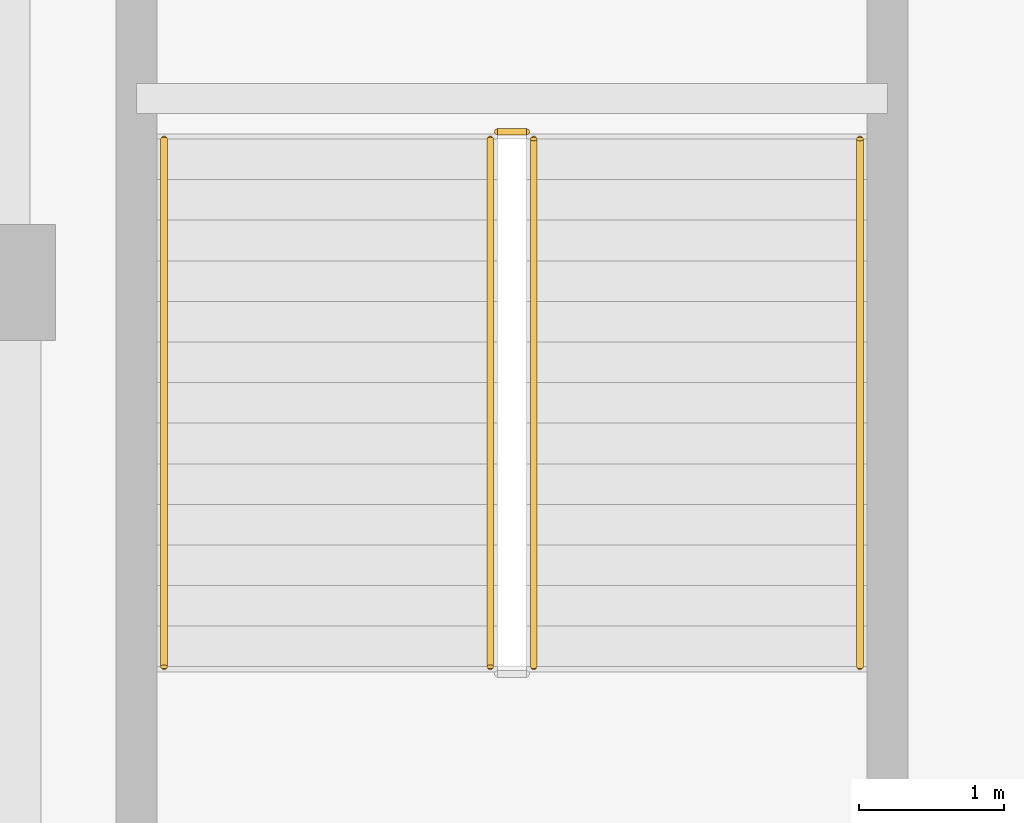
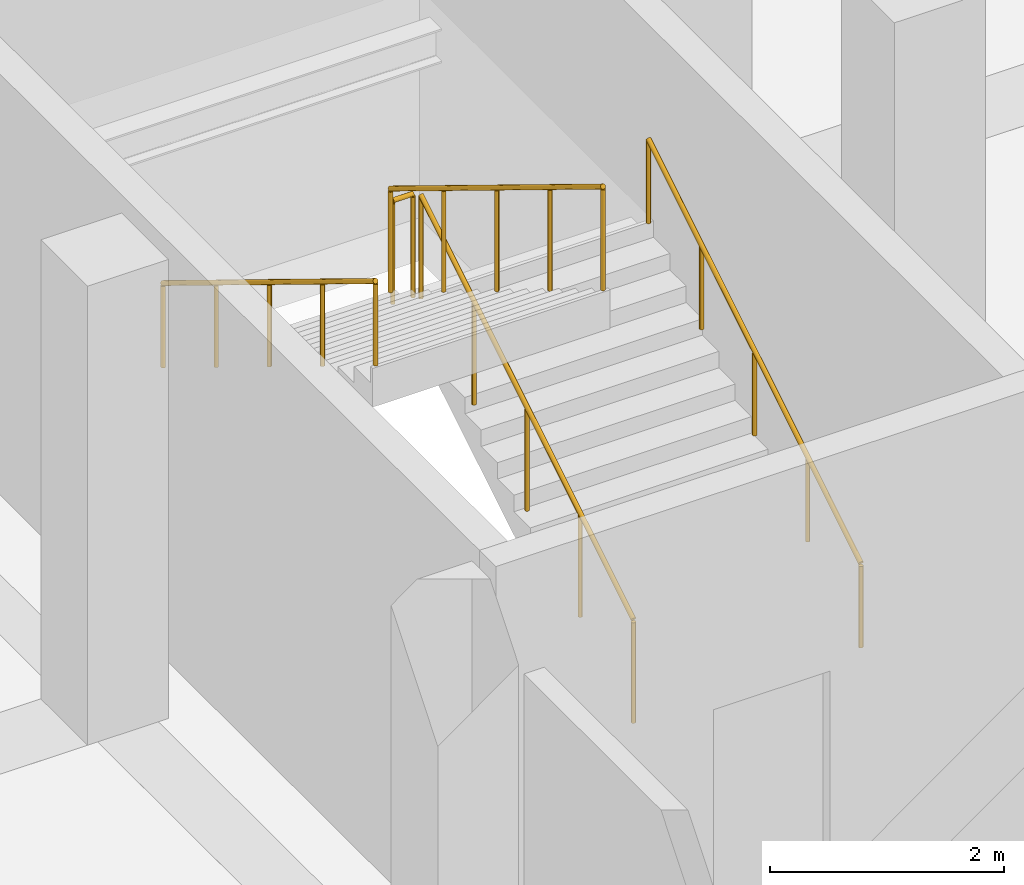
# One storey, part 34 of 36: 5 railings.
"""IFC4 building model written with IfcOpenShell, lengths in metres."""

from ifc_helpers import new_model, si_unit, direction, frame, origin, origin_2d, place, context, subcontext, project, spatial, circle, extrude, material, type_object, element, save


model = new_model("IFC4")

# Units and contexts
model_context = context("Model", 3, precision=1e-05, world=origin(), true_north=direction((0.0, 1.0)))
body_context = subcontext(model_context, "Body", "Model", "MODEL_VIEW")
ifc_project = project(units=[si_unit("LENGTHUNIT", "METRE"), si_unit("AREAUNIT", "SQUARE_METRE"), si_unit("VOLUMEUNIT", "CUBIC_METRE"), si_unit("PLANEANGLEUNIT", "RADIAN"), si_unit("MASSUNIT", "GRAM", prefix="KILO")], contexts=[model_context])

# Site, building, storey
site_placement = place(None, origin())
site = spatial("IfcSite", under=ifc_project, at=site_placement, CompositionType="ELEMENT")
building_placement = place(site_placement, origin())
building = spatial("IfcBuilding", under=site, at=building_placement, Name="Verrall Gate Interchange", CompositionType="ELEMENT")
storey_placement = place(building_placement, frame((0.0, 0.0, -4.800048828125)))
storey = spatial("IfcBuildingStorey", under=building, at=storey_placement, Name="B1", CompositionType="ELEMENT", Elevation=-4.800048828125)

# Railings
ifc_material_1 = material(Name="Brushed Stainless-Steel Guardrail and Handrail System", Category="steel")
railing_type_1 = type_object("IfcRailingType", Name="GR-02 Interior Atrium and Stair Guardrail 1100", PredefinedType="GUARDRAIL", material=ifc_material_1)
railing_1_placement = place(storey_placement, frame((103.699951171875, 37.35009765625, 0.17138671875)))
element("IfcRailing", 1, at=railing_1_placement, inside=storey, type_object=railing_type_1, Name="B1 ST-07 stair guard 1", PredefinedType="GUARDRAIL", context=body_context, shape_type="SweptSolid", body=[
    extrude(circle(Radius=0.02392578125, at=origin_2d()), frame((0.0, 0.0, 1.076171875), z_axis=(0.0, 0.852824790078, 0.522197163366), x_axis=(-1.0, 0.0, 0.0)), (0.0, 0.0, 1.0), 4.26806640625),
    extrude(circle(Radius=0.02099609375, at=origin_2d()), origin(), (0.0, 0.0, 1.0), 1.052001953125),
    extrude(circle(Radius=0.02099609375, at=origin_2d()), frame((0.0, 0.909912109375, 0.55712890625)), (0.0, 0.0, 1.0), 1.052001953125),
    extrude(circle(Radius=0.02099609375, at=origin_2d()), frame((0.0, 1.81982421875, 1.1142578125)), (0.0, 0.0, 1.0), 1.052001953125),
    extrude(circle(Radius=0.02099609375, at=origin_2d()), frame((0.0, 2.72998046875, 1.671630859375)), (0.0, 0.0, 1.0), 1.052001953125),
    extrude(circle(Radius=0.02099609375, at=origin_2d()), frame((0.0, 3.639892578125, 2.228759765625)), (0.0, 0.0, 1.0), 1.052001953125),
])
railing_2_placement = place(storey_placement, frame((103.64990234375, 41.0400390625, 2.400146484375)))
element("IfcRailing", 2, at=railing_2_placement, inside=storey, type_object=railing_type_1, Name="B1 ST-07 stair guard 2", PredefinedType="GUARDRAIL", context=body_context, shape_type="SweptSolid", body=[
    extrude(circle(Radius=0.02392578125, at=origin_2d()), frame((0.0, 0.0, 1.076171875), z_axis=(-1.0, 0.0, 0.0), x_axis=(0.0, -1.0, 0.0)), (0.0, 0.0, 1.0), 0.199951171875),
    extrude(circle(Radius=0.02099609375, at=origin_2d()), origin(), (0.0, 0.0, 1.0), 1.052001953125),
    extrude(circle(Radius=0.02099609375, at=origin_2d()), frame((-0.199951171875, 0.0, 0.0)), (0.0, 0.0, 1.0), 1.052001953125),
])
railing_3_placement = place(storey_placement, frame((103.39990234375, 40.989990234375, 2.571533203125)))
element("IfcRailing", 3, at=railing_3_placement, inside=storey, type_object=railing_type_1, Name="B1 ST-07 stair guard 3", PredefinedType="GUARDRAIL", context=body_context, shape_type="SweptSolid", body=[
    extrude(circle(Radius=0.02392578125, at=origin_2d()), frame((0.0, 0.0, 1.076171875), z_axis=(0.0, -0.852850264322, 0.5221555579), x_axis=(1.0, 0.0, 0.0)), (0.0, 0.0, 1.0), 4.267822265625),
    extrude(circle(Radius=0.02099609375, at=origin_2d()), origin(), (0.0, 0.0, 1.0), 1.052001953125),
    extrude(circle(Radius=0.02099609375, at=origin_2d()), frame((0.0, -0.909912109375, 0.55712890625)), (0.0, 0.0, 1.0), 1.052001953125),
    extrude(circle(Radius=0.02099609375, at=origin_2d()), frame((0.0, -1.81982421875, 1.1142578125)), (0.0, 0.0, 1.0), 1.052001953125),
    extrude(circle(Radius=0.02099609375, at=origin_2d()), frame((0.0, -2.72998046875, 1.67138671875)), (0.0, 0.0, 1.0), 1.052001953125),
    extrude(circle(Radius=0.02099609375, at=origin_2d()), frame((0.0, -3.639892578125, 2.228515625)), (0.0, 0.0, 1.0), 1.052001953125),
])
ifc_material_2 = material(Name="Brushed Stainless-Steel Guardrail and Handrail System", Category="steel")
railing_type_2 = type_object("IfcRailingType", Name="HR-01 Stair and Ramp Pitch-Line Handrail 920", PredefinedType="HANDRAIL", material=ifc_material_2)
railing_4_placement = place(storey_placement, frame((105.949951171875, 37.35009765625, 0.17138671875)))
element("IfcRailing", 4, at=railing_4_placement, inside=storey, type_object=railing_type_2, Name="B1 ST-07 stair handrail 1", PredefinedType="HANDRAIL", context=body_context, shape_type="SweptSolid", body=[
    extrude(circle(Radius=0.02392578125, at=origin_2d()), frame((0.0, 0.0, 0.8759765625), z_axis=(0.0, 0.852824790078, 0.522197163366), x_axis=(-1.0, 0.0, 0.0)), (0.0, 0.0, 1.0), 4.26806640625),
    extrude(circle(Radius=0.02099609375, at=origin_2d()), origin(), (0.0, 0.0, 1.0), 0.851806640625),
    extrude(circle(Radius=0.02099609375, at=origin_2d()), frame((0.0, 0.909912109375, 0.55712890625)), (0.0, 0.0, 1.0), 0.851806640625),
    extrude(circle(Radius=0.02099609375, at=origin_2d()), frame((0.0, 1.81982421875, 1.1142578125)), (0.0, 0.0, 1.0), 0.851806640625),
    extrude(circle(Radius=0.02099609375, at=origin_2d()), frame((0.0, 2.72998046875, 1.671630859375)), (0.0, 0.0, 1.0), 0.851806640625),
    extrude(circle(Radius=0.02099609375, at=origin_2d()), frame((0.0, 3.639892578125, 2.228759765625)), (0.0, 0.0, 1.0), 0.851806640625),
])
railing_5_placement = place(storey_placement, frame((101.14990234375, 40.989990234375, 2.571533203125)))
element("IfcRailing", 5, at=railing_5_placement, inside=storey, type_object=railing_type_2, Name="B1 ST-07 stair handrail 2", PredefinedType="HANDRAIL", context=body_context, shape_type="SweptSolid", body=[
    extrude(circle(Radius=0.02392578125, at=origin_2d()), frame((0.0, 0.0, 0.8759765625), z_axis=(0.0, -0.852850264322, 0.5221555579), x_axis=(1.0, 0.0, 0.0)), (0.0, 0.0, 1.0), 4.267822265625),
    extrude(circle(Radius=0.02099609375, at=origin_2d()), origin(), (0.0, 0.0, 1.0), 0.851806640625),
    extrude(circle(Radius=0.02099609375, at=origin_2d()), frame((0.0, -0.909912109375, 0.55712890625)), (0.0, 0.0, 1.0), 0.851806640625),
    extrude(circle(Radius=0.02099609375, at=origin_2d()), frame((0.0, -1.81982421875, 1.1142578125)), (0.0, 0.0, 1.0), 0.851806640625),
    extrude(circle(Radius=0.02099609375, at=origin_2d()), frame((0.0, -2.72998046875, 1.67138671875)), (0.0, 0.0, 1.0), 0.851806640625),
    extrude(circle(Radius=0.02099609375, at=origin_2d()), frame((0.0, -3.639892578125, 2.228515625)), (0.0, 0.0, 1.0), 0.851806640625),
])

save(model, "model.ifc")
